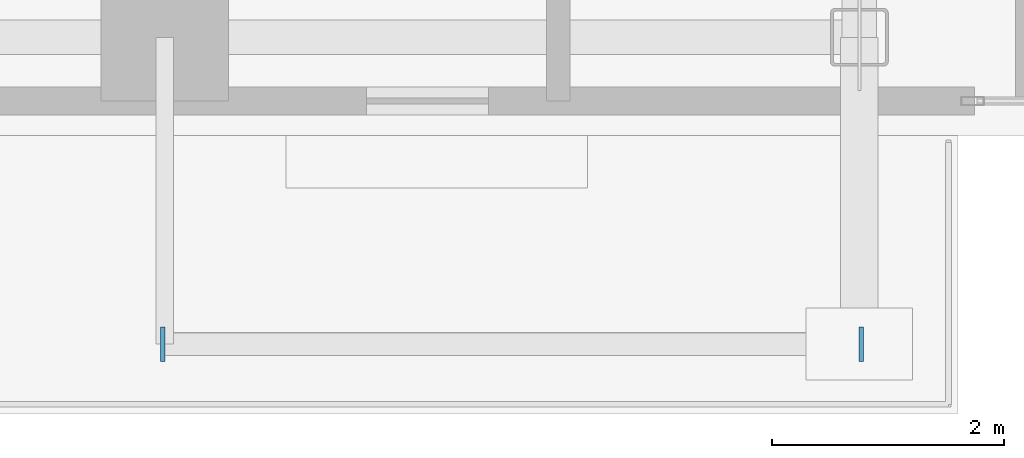
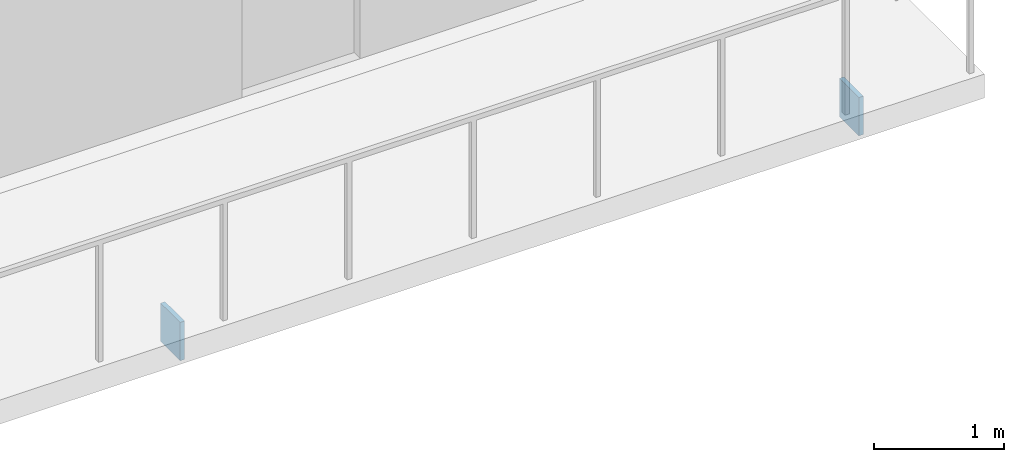
# One storey, part 20 of 28: 2 plates.
"""IFC4 building model written with IfcOpenShell, lengths in metres."""

from ifc_helpers import new_model, si_unit, direction, frame, origin, origin_2d, place, context, subcontext, project, spatial, rectangle, extrude, material, layer, layer_set, type_object, element, save


model = new_model("IFC4")

# Units and contexts
model_context = context("Model", 3, precision=1e-05, world=origin(), true_north=direction((0.0, 1.0)))
body_context = subcontext(model_context, "Body", "Model", "MODEL_VIEW")
ifc_project = project(units=[si_unit("LENGTHUNIT", "METRE"), si_unit("AREAUNIT", "SQUARE_METRE"), si_unit("VOLUMEUNIT", "CUBIC_METRE"), si_unit("PLANEANGLEUNIT", "RADIAN"), si_unit("MASSUNIT", "GRAM", prefix="KILO"), si_unit("THERMODYNAMICTEMPERATUREUNIT", "KELVIN"), si_unit("POWERUNIT", "WATT")], contexts=[model_context])

# Site, building, storey
site_placement = place(None, origin())
site = spatial("IfcSite", under=ifc_project, at=site_placement, CompositionType="ELEMENT")
building_placement = place(site_placement, origin())
building = spatial("IfcBuilding", under=site, at=building_placement, Name="Svarakhadi Broadcast Tower", CompositionType="ELEMENT")
storey_placement = place(building_placement, frame((0.0, 0.0, 119.39990234375)))
storey = spatial("IfcBuildingStorey", under=building, at=storey_placement, Name="L28", CompositionType="ELEMENT", Elevation=119.39990234375)

# Plates
ifc_material = material(Name="Steel S460ML (IS 2062 E450BR)", Category="steel")
ifc_layer = layer(ifc_material, 0.028076171875)
ifc_layer_set = layer_set([ifc_layer], Name="Steel S460ML (IS 2062 E450BR)")
plate_type = type_object("IfcPlateType", Name="Cap_Plate_CP02", PredefinedType="USERDEFINED", material=ifc_layer_set)
for number, where, z_axis, x_axis, name in (
    (1, (35.135009765625, -1.800048828125, -0.55517578125), (0.0, 0.0, 1.0), (1.0, 0.0, 0.0), "L28 Balcony Spandrel End Cap Plate 1F-A"),
    (2, (41.1650390625, -1.800048828125, -0.55517578125), (0.0, 0.0, 1.0), (1.0, 0.0, 0.0), "L28 Balcony Spandrel End Cap Plate 1F-B"),
):
    element("IfcPlate", number, at=place(storey_placement, frame(where, z_axis=z_axis, x_axis=x_axis)), inside=storey, type_object=plate_type, Name=name, ObjectType="FLANGE_PLATE", PredefinedType="USERDEFINED", context=body_context, shape_type="SweptSolid", body=[
        extrude(rectangle(XDim=0.0400390625, YDim=0.300048828125, at=origin_2d()), origin(), (0.0, 0.0, 1.0), 0.360107421875),
    ])

save(model, "model.ifc")
